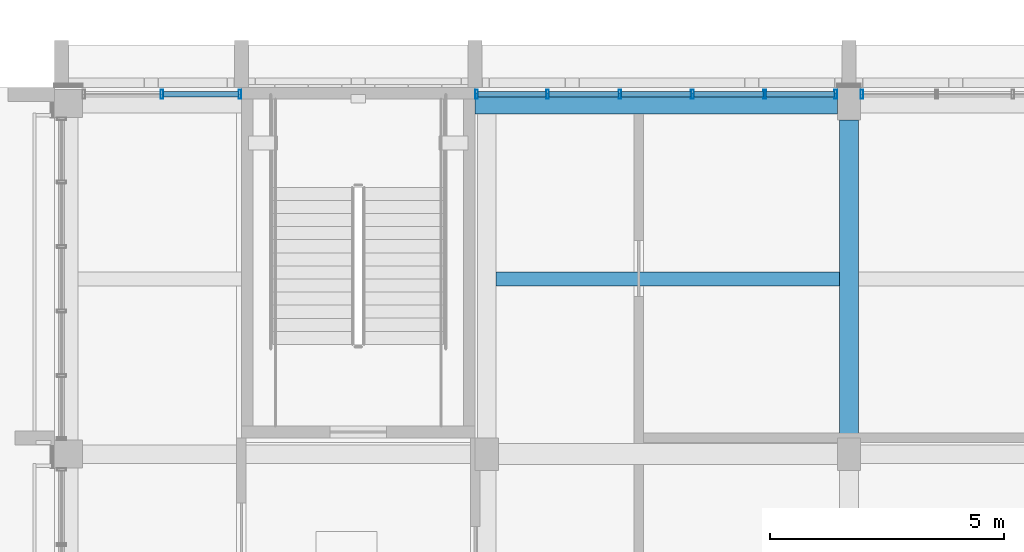
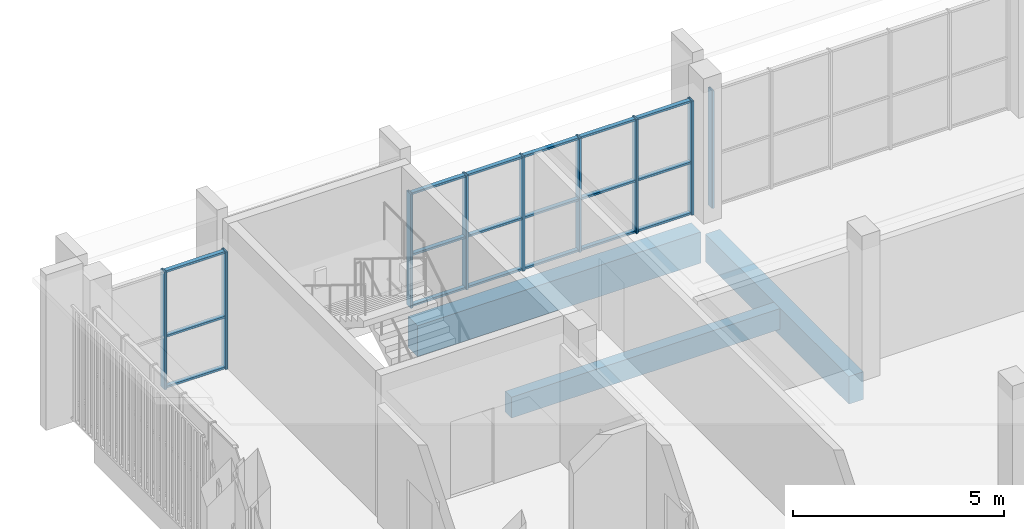
# One storey, part 36 of 92: 27 members, 3 beams, 3 elements without a shape of their own.
"""IFC4 building model written with IfcOpenShell, lengths in metres."""

from ifc_helpers import new_model, si_unit, direction, frame, origin, origin_2d, place, context, subcontext, project, spatial, rectangle, hollow_rectangle, extrude, material, material_profile, profile_set, type_object, element, aggregate, save


model = new_model("IFC4")

# Units and contexts
model_context = context("Model", 3, precision=1e-05, world=origin(), true_north=direction((0.0, 1.0)))
body_context = subcontext(model_context, "Body", "Model", "MODEL_VIEW")
ifc_project = project(units=[si_unit("LENGTHUNIT", "METRE"), si_unit("AREAUNIT", "SQUARE_METRE"), si_unit("VOLUMEUNIT", "CUBIC_METRE"), si_unit("PLANEANGLEUNIT", "RADIAN"), si_unit("MASSUNIT", "GRAM", prefix="KILO")], contexts=[model_context])

# Site, building, storey
site_placement = place(None, origin())
site = spatial("IfcSite", under=ifc_project, at=site_placement, CompositionType="ELEMENT")
building_placement = place(site_placement, origin())
building = spatial("IfcBuilding", under=site, at=building_placement, Name="Sun Court Science Centre", CompositionType="ELEMENT")
storey_placement = place(building_placement, frame((0.0, 0.0, 11.25)))
storey = spatial("IfcBuildingStorey", under=building, at=storey_placement, Name="L02", CompositionType="ELEMENT", Elevation=11.25)

# Curtain wall, members
ifc_material_1 = material(Name="Aluminium EN AW-6063 T6", Category="aluminium")
curtain_wall_type = type_object("IfcCurtainWallType", Name="Laboratory tall bay curtain wall 1500", PredefinedType="NOTDEFINED", material=ifc_material_1)
curtain_wall_1_placement = place(storey_placement, origin())
curtain_wall_1 = element("IfcCurtainWall", 1, at=curtain_wall_1_placement, inside=storey, type_object=curtain_wall_type, Name="Curtain wall V4 N L02 01", PredefinedType="NOTDEFINED")
ifc_material_2 = material(Name="Aluminium EN AW-6063 T6", Category="aluminium")
ifc_material_profile_1 = material_profile(ifc_material_2, hollow_rectangle(XDim=0.06005859375, YDim=0.199951171875, WallThickness=0.0048828125, InnerFilletRadius=0.0048828125, OuterFilletRadius=0.007568359375, at=origin_2d()), Name="AL 60x200x5")
ifc_profile_set_1 = profile_set([ifc_material_profile_1], Name="Aluminium EN AW-6063 T6")
member_type_1 = type_object("IfcMemberType", Name="Curtain wall mullion AL 60x200", PredefinedType="MULLION", material=ifc_profile_set_1)
member_1_placement = place(storey_placement, frame((80.300048828125, 80.85009765625, 0.0), z_axis=(0.0, 0.0, 1.0), x_axis=(1.0, 0.0, 0.0)))
member_1 = element("IfcMember", 2, at=member_1_placement, type_object=member_type_1, Name="CW2-67 mullion 2", PredefinedType="MULLION", context=body_context, shape_type="SweptSolid", body=[
    extrude(hollow_rectangle(XDim=0.06005859375, YDim=0.199951171875, WallThickness=0.0048828125, InnerFilletRadius=0.0048828125, OuterFilletRadius=0.007568359375, at=origin_2d()), origin(), (0.0, 0.0, 1.0), 3.39990234375),
])
member_2_placement = place(storey_placement, frame((81.969970703125, 80.85009765625, 0.0), z_axis=(0.0, 0.0, 1.0), x_axis=(1.0, 0.0, 0.0)))
member_2 = element("IfcMember", 3, at=member_2_placement, type_object=member_type_1, Name="CW2-67 mullion 3", PredefinedType="MULLION", context=body_context, shape_type="SweptSolid", body=[
    extrude(hollow_rectangle(XDim=0.06005859375, YDim=0.199951171875, WallThickness=0.0048828125, InnerFilletRadius=0.0048828125, OuterFilletRadius=0.007568359375, at=origin_2d()), origin(), (0.0, 0.0, 1.0), 3.39990234375),
])

curtain_wall_2_placement = place(storey_placement, origin())
curtain_wall_2 = element("IfcCurtainWall", 4, at=curtain_wall_2_placement, inside=storey, type_object=curtain_wall_type, Name="Curtain wall V4 N L02 02", PredefinedType="NOTDEFINED")
member_3_placement = place(storey_placement, frame((87.030029296875, 80.85009765625, 0.0), z_axis=(0.0, 0.0, 1.0), x_axis=(1.0, 0.0, 0.0)))
member_3 = element("IfcMember", 5, at=member_3_placement, type_object=member_type_1, Name="CW2-68 mullion 1", PredefinedType="MULLION", context=body_context, shape_type="SweptSolid", body=[
    extrude(hollow_rectangle(XDim=0.06005859375, YDim=0.199951171875, WallThickness=0.0048828125, InnerFilletRadius=0.0048828125, OuterFilletRadius=0.007568359375, at=origin_2d()), origin(), (0.0, 0.0, 1.0), 3.300048828125),
])
member_4_placement = place(storey_placement, frame((88.550048828125, 80.85009765625, 0.0), z_axis=(0.0, 0.0, 1.0), x_axis=(1.0, 0.0, 0.0)))
member_4 = element("IfcMember", 6, at=member_4_placement, type_object=member_type_1, Name="CW2-68 mullion 2", PredefinedType="MULLION", context=body_context, shape_type="SweptSolid", body=[
    extrude(hollow_rectangle(XDim=0.06005859375, YDim=0.199951171875, WallThickness=0.0048828125, InnerFilletRadius=0.0048828125, OuterFilletRadius=0.007568359375, at=origin_2d()), origin(), (0.0, 0.0, 1.0), 3.300048828125),
])
member_5_placement = place(storey_placement, frame((90.10009765625, 80.85009765625, 0.0), z_axis=(0.0, 0.0, 1.0), x_axis=(1.0, 0.0, 0.0)))
member_5 = element("IfcMember", 7, at=member_5_placement, type_object=member_type_1, Name="CW2-68 mullion 3", PredefinedType="MULLION", context=body_context, shape_type="SweptSolid", body=[
    extrude(hollow_rectangle(XDim=0.06005859375, YDim=0.199951171875, WallThickness=0.0048828125, InnerFilletRadius=0.0048828125, OuterFilletRadius=0.007568359375, at=origin_2d()), origin(), (0.0, 0.0, 1.0), 3.300048828125),
])
member_6_placement = place(storey_placement, frame((91.64990234375, 80.85009765625, 0.0), z_axis=(0.0, 0.0, 1.0), x_axis=(1.0, 0.0, 0.0)))
member_6 = element("IfcMember", 8, at=member_6_placement, type_object=member_type_1, Name="CW2-68 mullion 4", PredefinedType="MULLION", context=body_context, shape_type="SweptSolid", body=[
    extrude(hollow_rectangle(XDim=0.06005859375, YDim=0.199951171875, WallThickness=0.0048828125, InnerFilletRadius=0.0048828125, OuterFilletRadius=0.007568359375, at=origin_2d()), origin(), (0.0, 0.0, 1.0), 3.300048828125),
])
member_7_placement = place(storey_placement, frame((93.199951171875, 80.85009765625, 0.0), z_axis=(0.0, 0.0, 1.0), x_axis=(1.0, 0.0, 0.0)))
member_7 = element("IfcMember", 9, at=member_7_placement, type_object=member_type_1, Name="CW2-68 mullion 5", PredefinedType="MULLION", context=body_context, shape_type="SweptSolid", body=[
    extrude(hollow_rectangle(XDim=0.06005859375, YDim=0.199951171875, WallThickness=0.0048828125, InnerFilletRadius=0.0048828125, OuterFilletRadius=0.007568359375, at=origin_2d()), origin(), (0.0, 0.0, 1.0), 3.300048828125),
])
member_8_placement = place(storey_placement, frame((94.719970703125, 80.85009765625, 0.0), z_axis=(0.0, 0.0, 1.0), x_axis=(1.0, 0.0, 0.0)))
member_8 = element("IfcMember", 10, at=member_8_placement, type_object=member_type_1, Name="CW2-68 mullion 6", PredefinedType="MULLION", context=body_context, shape_type="SweptSolid", body=[
    extrude(hollow_rectangle(XDim=0.06005859375, YDim=0.199951171875, WallThickness=0.0048828125, InnerFilletRadius=0.0048828125, OuterFilletRadius=0.007568359375, at=origin_2d()), origin(), (0.0, 0.0, 1.0), 3.300048828125),
])

# Curtain wall, member
curtain_wall_3_placement = place(storey_placement, origin())
curtain_wall_3 = element("IfcCurtainWall", 11, at=curtain_wall_3_placement, inside=storey, type_object=curtain_wall_type, Name="Curtain wall V4 N L02 03", PredefinedType="NOTDEFINED")
member_9_placement = place(storey_placement, frame((95.280029296875, 80.85009765625, 0.0), z_axis=(0.0, 0.0, 1.0), x_axis=(1.0, 0.0, 0.0)))
member_9 = element("IfcMember", 12, at=member_9_placement, type_object=member_type_1, Name="CW2-69 mullion 1", PredefinedType="MULLION", context=body_context, shape_type="SweptSolid", body=[
    extrude(hollow_rectangle(XDim=0.06005859375, YDim=0.199951171875, WallThickness=0.0048828125, InnerFilletRadius=0.0048828125, OuterFilletRadius=0.007568359375, at=origin_2d()), origin(), (0.0, 0.0, 1.0), 3.39990234375),
])
aggregate(curtain_wall_3, [member_9])

# Member
ifc_material_3 = material(Name="Aluminium EN AW-6063 T6", Category="aluminium")
ifc_material_profile_2 = material_profile(ifc_material_3, hollow_rectangle(XDim=0.06005859375, YDim=0.1201171875, WallThickness=0.00390625, InnerFilletRadius=0.00390625, OuterFilletRadius=0.006103515625, at=origin_2d()), Name="AL 60x120x4")
ifc_profile_set_2 = profile_set([ifc_material_profile_2], Name="Aluminium EN AW-6063 T6")
member_type_2 = type_object("IfcMemberType", Name="Curtain wall transom AL 60x120", PredefinedType="USERDEFINED", material=ifc_profile_set_2)
member_10_placement = place(storey_placement, frame((80.330078125, 80.85009765625, 0.030029296875), z_axis=(1.0, 0.0, 0.0), x_axis=(0.0, 0.0, 1.0)))
member_10 = element("IfcMember", 13, at=member_10_placement, type_object=member_type_2, Name="CW2-67 transom 2.1", ObjectType="TRANSOM", PredefinedType="USERDEFINED", context=body_context, shape_type="SweptSolid", body=[
    extrude(hollow_rectangle(XDim=0.06005859375, YDim=0.1201171875, WallThickness=0.00390625, InnerFilletRadius=0.00390625, OuterFilletRadius=0.006103515625, at=origin_2d()), origin(), (0.0, 0.0, 1.0), 1.60986328125),
])

member_11_placement = place(storey_placement, frame((80.330078125, 80.85009765625, 1.5), z_axis=(1.0, 0.0, 0.0), x_axis=(0.0, 0.0, 1.0)))
member_11 = element("IfcMember", 14, at=member_11_placement, type_object=member_type_2, Name="CW2-67 transom 2.2", ObjectType="TRANSOM", PredefinedType="USERDEFINED", context=body_context, shape_type="SweptSolid", body=[
    extrude(hollow_rectangle(XDim=0.06005859375, YDim=0.1201171875, WallThickness=0.00390625, InnerFilletRadius=0.00390625, OuterFilletRadius=0.006103515625, at=origin_2d()), origin(), (0.0, 0.0, 1.0), 1.60986328125),
])

member_12_placement = place(storey_placement, frame((80.330078125, 80.85009765625, 3.3701171875), z_axis=(1.0, 0.0, 0.0), x_axis=(0.0, 0.0, 1.0)))
member_12 = element("IfcMember", 15, at=member_12_placement, type_object=member_type_2, Name="CW2-67 transom 2.3", ObjectType="TRANSOM", PredefinedType="USERDEFINED", context=body_context, shape_type="SweptSolid", body=[
    extrude(hollow_rectangle(XDim=0.06005859375, YDim=0.1201171875, WallThickness=0.00390625, InnerFilletRadius=0.00390625, OuterFilletRadius=0.006103515625, at=origin_2d()), origin(), (0.0, 0.0, 1.0), 1.60986328125),
])

aggregate(curtain_wall_1, [member_1, member_2, member_10, member_11, member_12])

member_13_placement = place(storey_placement, frame((87.06005859375, 80.85009765625, 0.030029296875), z_axis=(1.0, 0.0, 0.0), x_axis=(0.0, 0.0, 1.0)))
member_13 = element("IfcMember", 16, at=member_13_placement, type_object=member_type_2, Name="CW2-68 transom 1.1", ObjectType="TRANSOM", PredefinedType="USERDEFINED", context=body_context, shape_type="SweptSolid", body=[
    extrude(hollow_rectangle(XDim=0.06005859375, YDim=0.1201171875, WallThickness=0.00390625, InnerFilletRadius=0.00390625, OuterFilletRadius=0.006103515625, at=origin_2d()), origin(), (0.0, 0.0, 1.0), 1.4599609375),
])

member_14_placement = place(storey_placement, frame((88.580078125, 80.85009765625, 0.030029296875), z_axis=(1.0, 0.0, 0.0), x_axis=(0.0, 0.0, 1.0)))
member_14 = element("IfcMember", 17, at=member_14_placement, type_object=member_type_2, Name="CW2-68 transom 2.1", ObjectType="TRANSOM", PredefinedType="USERDEFINED", context=body_context, shape_type="SweptSolid", body=[
    extrude(hollow_rectangle(XDim=0.06005859375, YDim=0.1201171875, WallThickness=0.00390625, InnerFilletRadius=0.00390625, OuterFilletRadius=0.006103515625, at=origin_2d()), origin(), (0.0, 0.0, 1.0), 1.489990234375),
])

member_15_placement = place(storey_placement, frame((90.1298828125, 80.85009765625, 0.030029296875), z_axis=(1.0, 0.0, 0.0), x_axis=(0.0, 0.0, 1.0)))
member_15 = element("IfcMember", 18, at=member_15_placement, type_object=member_type_2, Name="CW2-68 transom 3.1", ObjectType="TRANSOM", PredefinedType="USERDEFINED", context=body_context, shape_type="SweptSolid", body=[
    extrude(hollow_rectangle(XDim=0.06005859375, YDim=0.1201171875, WallThickness=0.00390625, InnerFilletRadius=0.00390625, OuterFilletRadius=0.006103515625, at=origin_2d()), origin(), (0.0, 0.0, 1.0), 1.490234375),
])

member_16_placement = place(storey_placement, frame((91.679931640625, 80.85009765625, 0.030029296875), z_axis=(1.0, 0.0, 0.0), x_axis=(0.0, 0.0, 1.0)))
member_16 = element("IfcMember", 19, at=member_16_placement, type_object=member_type_2, Name="CW2-68 transom 4.1", ObjectType="TRANSOM", PredefinedType="USERDEFINED", context=body_context, shape_type="SweptSolid", body=[
    extrude(hollow_rectangle(XDim=0.06005859375, YDim=0.1201171875, WallThickness=0.00390625, InnerFilletRadius=0.00390625, OuterFilletRadius=0.006103515625, at=origin_2d()), origin(), (0.0, 0.0, 1.0), 1.489990234375),
])

member_17_placement = place(storey_placement, frame((93.22998046875, 80.85009765625, 0.030029296875), z_axis=(1.0, 0.0, 0.0), x_axis=(0.0, 0.0, 1.0)))
member_17 = element("IfcMember", 20, at=member_17_placement, type_object=member_type_2, Name="CW2-68 transom 5.1", ObjectType="TRANSOM", PredefinedType="USERDEFINED", context=body_context, shape_type="SweptSolid", body=[
    extrude(hollow_rectangle(XDim=0.06005859375, YDim=0.1201171875, WallThickness=0.00390625, InnerFilletRadius=0.00390625, OuterFilletRadius=0.006103515625, at=origin_2d()), origin(), (0.0, 0.0, 1.0), 1.4599609375),
])

member_18_placement = place(storey_placement, frame((87.06005859375, 80.85009765625, 1.5), z_axis=(1.0, 0.0, 0.0), x_axis=(0.0, 0.0, 1.0)))
member_18 = element("IfcMember", 21, at=member_18_placement, type_object=member_type_2, Name="CW2-68 transom 1.2", ObjectType="TRANSOM", PredefinedType="USERDEFINED", context=body_context, shape_type="SweptSolid", body=[
    extrude(hollow_rectangle(XDim=0.06005859375, YDim=0.1201171875, WallThickness=0.00390625, InnerFilletRadius=0.00390625, OuterFilletRadius=0.006103515625, at=origin_2d()), origin(), (0.0, 0.0, 1.0), 1.4599609375),
])

member_19_placement = place(storey_placement, frame((88.580078125, 80.85009765625, 1.5), z_axis=(1.0, 0.0, 0.0), x_axis=(0.0, 0.0, 1.0)))
member_19 = element("IfcMember", 22, at=member_19_placement, type_object=member_type_2, Name="CW2-68 transom 2.2", ObjectType="TRANSOM", PredefinedType="USERDEFINED", context=body_context, shape_type="SweptSolid", body=[
    extrude(hollow_rectangle(XDim=0.06005859375, YDim=0.1201171875, WallThickness=0.00390625, InnerFilletRadius=0.00390625, OuterFilletRadius=0.006103515625, at=origin_2d()), origin(), (0.0, 0.0, 1.0), 1.489990234375),
])

member_20_placement = place(storey_placement, frame((90.1298828125, 80.85009765625, 1.5), z_axis=(1.0, 0.0, 0.0), x_axis=(0.0, 0.0, 1.0)))
member_20 = element("IfcMember", 23, at=member_20_placement, type_object=member_type_2, Name="CW2-68 transom 3.2", ObjectType="TRANSOM", PredefinedType="USERDEFINED", context=body_context, shape_type="SweptSolid", body=[
    extrude(hollow_rectangle(XDim=0.06005859375, YDim=0.1201171875, WallThickness=0.00390625, InnerFilletRadius=0.00390625, OuterFilletRadius=0.006103515625, at=origin_2d()), origin(), (0.0, 0.0, 1.0), 1.490234375),
])

member_21_placement = place(storey_placement, frame((91.679931640625, 80.85009765625, 1.5), z_axis=(1.0, 0.0, 0.0), x_axis=(0.0, 0.0, 1.0)))
member_21 = element("IfcMember", 24, at=member_21_placement, type_object=member_type_2, Name="CW2-68 transom 4.2", ObjectType="TRANSOM", PredefinedType="USERDEFINED", context=body_context, shape_type="SweptSolid", body=[
    extrude(hollow_rectangle(XDim=0.06005859375, YDim=0.1201171875, WallThickness=0.00390625, InnerFilletRadius=0.00390625, OuterFilletRadius=0.006103515625, at=origin_2d()), origin(), (0.0, 0.0, 1.0), 1.489990234375),
])

member_22_placement = place(storey_placement, frame((93.22998046875, 80.85009765625, 1.5), z_axis=(1.0, 0.0, 0.0), x_axis=(0.0, 0.0, 1.0)))
member_22 = element("IfcMember", 25, at=member_22_placement, type_object=member_type_2, Name="CW2-68 transom 5.2", ObjectType="TRANSOM", PredefinedType="USERDEFINED", context=body_context, shape_type="SweptSolid", body=[
    extrude(hollow_rectangle(XDim=0.06005859375, YDim=0.1201171875, WallThickness=0.00390625, InnerFilletRadius=0.00390625, OuterFilletRadius=0.006103515625, at=origin_2d()), origin(), (0.0, 0.0, 1.0), 1.4599609375),
])

member_23_placement = place(storey_placement, frame((87.06005859375, 80.85009765625, 3.27001953125), z_axis=(1.0, 0.0, 0.0), x_axis=(0.0, 0.0, 1.0)))
member_23 = element("IfcMember", 26, at=member_23_placement, type_object=member_type_2, Name="CW2-68 transom 1.3", ObjectType="TRANSOM", PredefinedType="USERDEFINED", context=body_context, shape_type="SweptSolid", body=[
    extrude(hollow_rectangle(XDim=0.06005859375, YDim=0.1201171875, WallThickness=0.00390625, InnerFilletRadius=0.00390625, OuterFilletRadius=0.006103515625, at=origin_2d()), origin(), (0.0, 0.0, 1.0), 1.4599609375),
])

member_24_placement = place(storey_placement, frame((88.580078125, 80.85009765625, 3.27001953125), z_axis=(1.0, 0.0, 0.0), x_axis=(0.0, 0.0, 1.0)))
member_24 = element("IfcMember", 27, at=member_24_placement, type_object=member_type_2, Name="CW2-68 transom 2.3", ObjectType="TRANSOM", PredefinedType="USERDEFINED", context=body_context, shape_type="SweptSolid", body=[
    extrude(hollow_rectangle(XDim=0.06005859375, YDim=0.1201171875, WallThickness=0.00390625, InnerFilletRadius=0.00390625, OuterFilletRadius=0.006103515625, at=origin_2d()), origin(), (0.0, 0.0, 1.0), 1.489990234375),
])

member_25_placement = place(storey_placement, frame((90.1298828125, 80.85009765625, 3.27001953125), z_axis=(1.0, 0.0, 0.0), x_axis=(0.0, 0.0, 1.0)))
member_25 = element("IfcMember", 28, at=member_25_placement, type_object=member_type_2, Name="CW2-68 transom 3.3", ObjectType="TRANSOM", PredefinedType="USERDEFINED", context=body_context, shape_type="SweptSolid", body=[
    extrude(hollow_rectangle(XDim=0.06005859375, YDim=0.1201171875, WallThickness=0.00390625, InnerFilletRadius=0.00390625, OuterFilletRadius=0.006103515625, at=origin_2d()), origin(), (0.0, 0.0, 1.0), 1.490234375),
])

member_26_placement = place(storey_placement, frame((91.679931640625, 80.85009765625, 3.27001953125), z_axis=(1.0, 0.0, 0.0), x_axis=(0.0, 0.0, 1.0)))
member_26 = element("IfcMember", 29, at=member_26_placement, type_object=member_type_2, Name="CW2-68 transom 4.3", ObjectType="TRANSOM", PredefinedType="USERDEFINED", context=body_context, shape_type="SweptSolid", body=[
    extrude(hollow_rectangle(XDim=0.06005859375, YDim=0.1201171875, WallThickness=0.00390625, InnerFilletRadius=0.00390625, OuterFilletRadius=0.006103515625, at=origin_2d()), origin(), (0.0, 0.0, 1.0), 1.489990234375),
])

member_27_placement = place(storey_placement, frame((93.22998046875, 80.85009765625, 3.27001953125), z_axis=(1.0, 0.0, 0.0), x_axis=(0.0, 0.0, 1.0)))
member_27 = element("IfcMember", 30, at=member_27_placement, type_object=member_type_2, Name="CW2-68 transom 5.3", ObjectType="TRANSOM", PredefinedType="USERDEFINED", context=body_context, shape_type="SweptSolid", body=[
    extrude(hollow_rectangle(XDim=0.06005859375, YDim=0.1201171875, WallThickness=0.00390625, InnerFilletRadius=0.00390625, OuterFilletRadius=0.006103515625, at=origin_2d()), origin(), (0.0, 0.0, 1.0), 1.4599609375),
])

aggregate(curtain_wall_2, [member_3, member_4, member_5, member_6, member_7, member_8, member_13, member_14, member_15, member_16, member_17, member_18, member_19, member_20, member_21, member_22, member_23, member_24, member_25, member_26, member_27])

# Beams
ifc_material_4 = material(Name="Concrete C25/30", Category="concrete")
ifc_material_profile_3 = material_profile(ifc_material_4, rectangle(XDim=0.39990234375, YDim=0.800048828125, at=origin_2d()), Name="RC 400x800")
ifc_profile_set_3 = profile_set([ifc_material_profile_3], Name="Concrete C25/30")
beam_type_1 = type_object("IfcBeamType", Name="RC girder 400x800", PredefinedType="BEAM", material=ifc_profile_set_3)
beam_1_placement = place(storey_placement, frame((95.0, 73.5, -0.699951171875), z_axis=(0.0, 1.0, 0.0), x_axis=(-1.0, 0.0, 0.0)))
element("IfcBeam", 31, at=beam_1_placement, inside=storey, type_object=beam_type_1, Name="Girder L02 line 3", PredefinedType="BEAM", context=body_context, shape_type="SweptSolid", body=[
    extrude(rectangle(XDim=0.39990234375, YDim=0.800048828125, at=origin_2d()), origin(), (0.0, 0.0, 1.0), 6.800048828125),
])
ifc_material_5 = material(Name="Concrete C25/30", Category="concrete")
ifc_material_profile_4 = material_profile(ifc_material_5, rectangle(XDim=0.449951171875, YDim=0.89990234375, at=origin_2d()), Name="RC 450x900")
ifc_profile_set_4 = profile_set([ifc_material_profile_4], Name="Concrete C25/30")
beam_type_2 = type_object("IfcBeamType", Name="RC girder 450x900", PredefinedType="BEAM", material=ifc_profile_set_4)
beam_2_placement = place(storey_placement, frame((87.0, 80.64990234375, -0.75), z_axis=(1.0, 0.0, 0.0), x_axis=(0.0, 1.0, 0.0)))
element("IfcBeam", 32, at=beam_2_placement, inside=storey, type_object=beam_type_2, Name="Girder L02 row 11", PredefinedType="BEAM", context=body_context, shape_type="SweptSolid", body=[
    extrude(rectangle(XDim=0.449951171875, YDim=0.89990234375, at=origin_2d()), origin(), (0.0, 0.0, 1.0), 7.75),
])
ifc_material_6 = material(Name="Concrete C25/30", Category="concrete")
ifc_material_profile_5 = material_profile(ifc_material_6, rectangle(XDim=0.300048828125, YDim=0.60009765625, at=origin_2d()), Name="RC 300x600")
ifc_profile_set_5 = profile_set([ifc_material_profile_5], Name="Concrete C25/30")
beam_type_3 = type_object("IfcBeamType", Name="RC joist 300x600", PredefinedType="JOIST", material=ifc_profile_set_5)
beam_3_placement = place(storey_placement, frame((87.449951171875, 76.89990234375, -0.60009765625), z_axis=(1.0, 0.0, 0.0), x_axis=(0.0, 1.0, 0.0)))
element("IfcBeam", 33, at=beam_3_placement, inside=storey, type_object=beam_type_3, Name="Joist L02", PredefinedType="JOIST", context=body_context, shape_type="SweptSolid", body=[
    extrude(rectangle(XDim=0.300048828125, YDim=0.60009765625, at=origin_2d()), origin(), (0.0, 0.0, 1.0), 7.35009765625),
])

save(model, "model.ifc")
